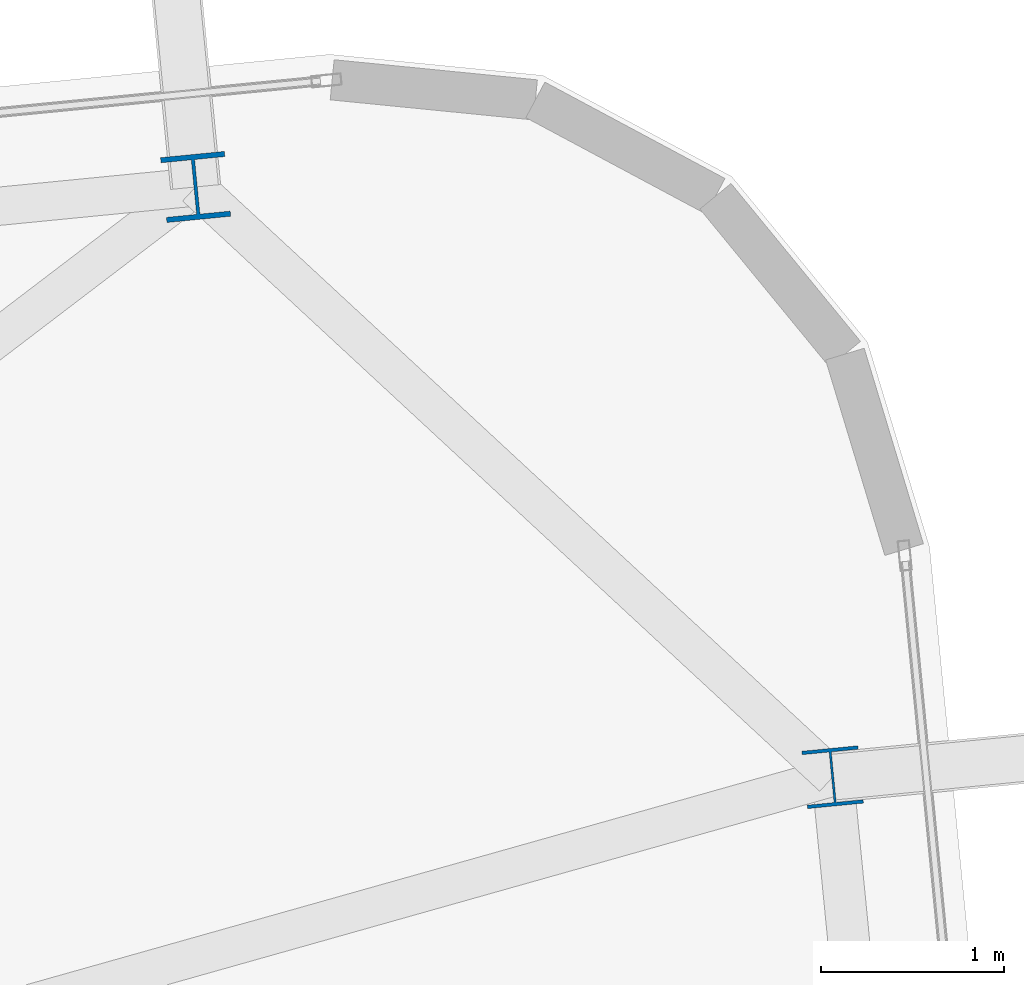
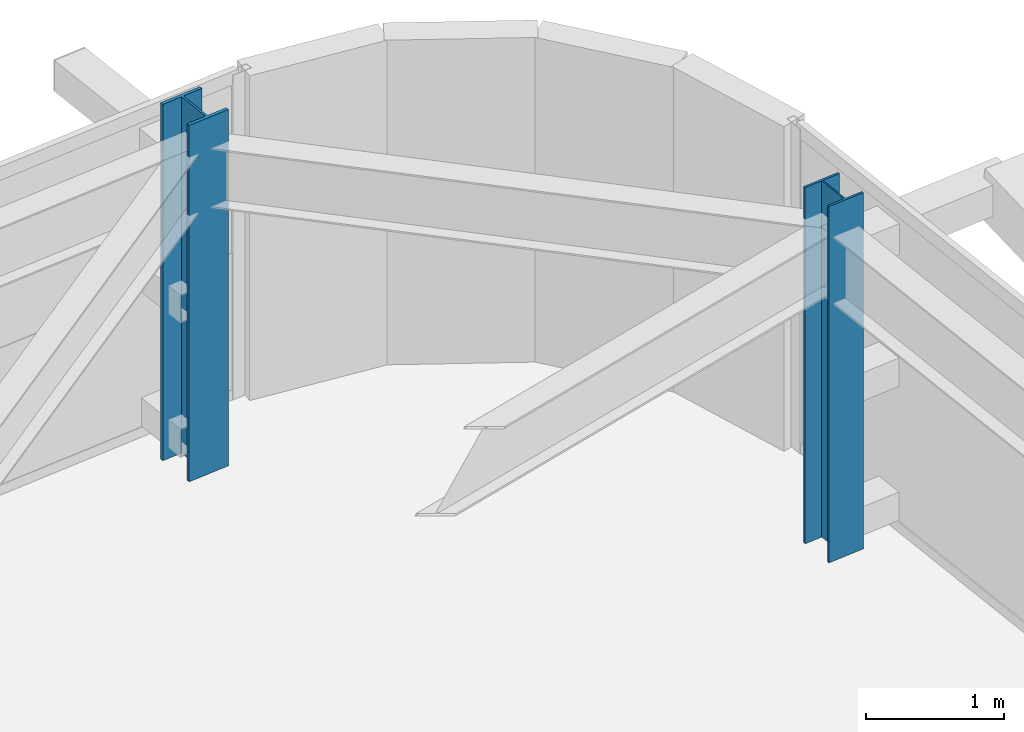
# One storey, part 4 of 47: 2 columns.
"""IFC4 building model written with IfcOpenShell, lengths in metres."""

from ifc_helpers import new_model, si_unit, direction, frame, origin, origin_2d, place, context, subcontext, project, spatial, i_section, extrude, source, transform, mapped, material, material_profile, profile_set, type_object, element, save


model = new_model("IFC4")

# Units and contexts
model_context = context("Model", 3, precision=1e-05, world=origin(), true_north=direction((0.0, 1.0)))
body_context = subcontext(model_context, "Body", "Model", "MODEL_VIEW")
ifc_project = project(units=[si_unit("LENGTHUNIT", "METRE"), si_unit("AREAUNIT", "SQUARE_METRE"), si_unit("VOLUMEUNIT", "CUBIC_METRE"), si_unit("PLANEANGLEUNIT", "RADIAN"), si_unit("MASSUNIT", "GRAM", prefix="KILO")], contexts=[model_context])

# Site, building, storey
site_placement = place(None, origin())
site = spatial("IfcSite", under=ifc_project, at=site_placement, CompositionType="ELEMENT")
building_placement = place(site_placement, origin())
building = spatial("IfcBuilding", under=site, at=building_placement, Name="Taldren Reach Tower", CompositionType="ELEMENT")
storey_placement = place(building_placement, frame((0.0, 0.0, 109.199951171875)))
storey = spatial("IfcBuildingStorey", under=building, at=storey_placement, Name="L33", CompositionType="ELEMENT", Elevation=109.199951171875)

# Columns
ifc_material = material(Name="Steel Gr 350 (350PLUS)", Category="steel")
ifc_material_profile_1 = material_profile(ifc_material, i_section(OverallWidth=0.35009765625, OverallDepth=0.35595703125, WebThickness=0.01806640625, FlangeThickness=0.028076171875, at=origin_2d()), Name="350WC197")
ifc_profile_set_1 = profile_set([ifc_material_profile_1], Name="Steel Gr 350 (350PLUS)")
column_type_1 = type_object("IfcColumnType", Name="COL-WC350", PredefinedType="COLUMN", material=ifc_profile_set_1)
shared_shape_1 = source(origin(), body_context, "Body", "SweptSolid", [
    extrude(i_section(OverallWidth=0.35009765625, OverallDepth=0.35595703125, WebThickness=0.01806640625, FlangeThickness=0.028076171875, at=origin_2d()), origin(), (0.0, 0.0, 1.0), 3.150146484375),
])
column_1_placement = place(storey_placement, frame((59.765869140625, 38.679931640625, 0.0), z_axis=(0.0, 0.0, 1.0), x_axis=(0.995227399982, 0.097582899759, 0.0)))
element("IfcColumn", 1, at=column_1_placement, inside=storey, type_object=column_type_1, Name="Block B2 perimeter column N6 L33", PredefinedType="COLUMN", context=body_context, shape_type="MappedRepresentation", body=[
    mapped(shared_shape_1, transform((0.0, 0.0, 0.0), scale=1.0)),
])
ifc_material_profile_2 = material_profile(ifc_material, i_section(OverallWidth=0.306884765625, OverallDepth=0.31494140625, WebThickness=0.011962890625, FlangeThickness=0.018798828125, at=origin_2d()), Name="310UC118")
ifc_profile_set_2 = profile_set([ifc_material_profile_2], Name="Steel Gr 350 (350PLUS)")
column_type_2 = type_object("IfcColumnType", Name="COL-UC310B", PredefinedType="COLUMN", material=ifc_profile_set_2)
shared_shape_2 = source(origin(), body_context, "Body", "SweptSolid", [
    extrude(i_section(OverallWidth=0.306884765625, OverallDepth=0.31494140625, WebThickness=0.011962890625, FlangeThickness=0.018798828125, at=origin_2d()), origin(), (0.0, 0.0, 1.0), 3.150146484375),
])
column_2_placement = place(storey_placement, frame((63.247314453125, 35.454345703125, 0.0), z_axis=(0.0, 0.0, 1.0), x_axis=(0.995227399982, 0.097582899759, 0.0)))
element("IfcColumn", 2, at=column_2_placement, inside=storey, type_object=column_type_2, Name="Block B2 perimeter column E3 L33", PredefinedType="COLUMN", context=body_context, shape_type="MappedRepresentation", body=[
    mapped(shared_shape_2, transform((0.0, 0.0, 0.0), scale=1.0)),
])

save(model, "model.ifc")
